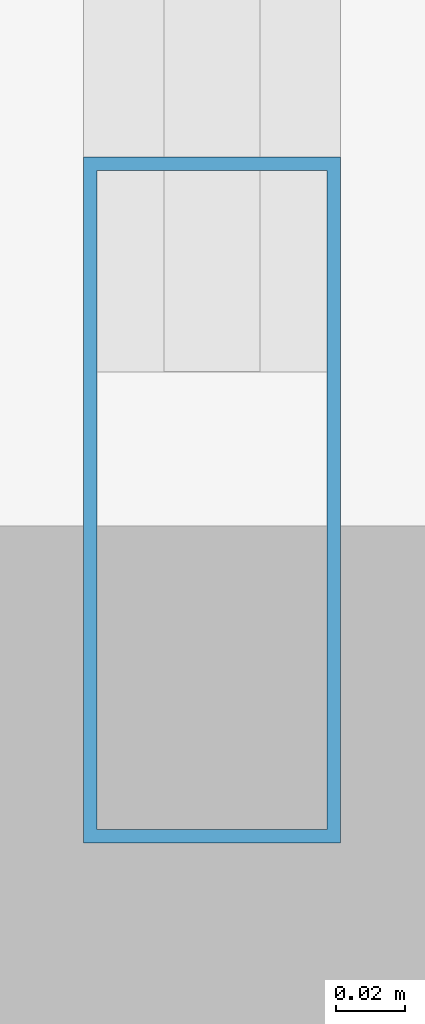
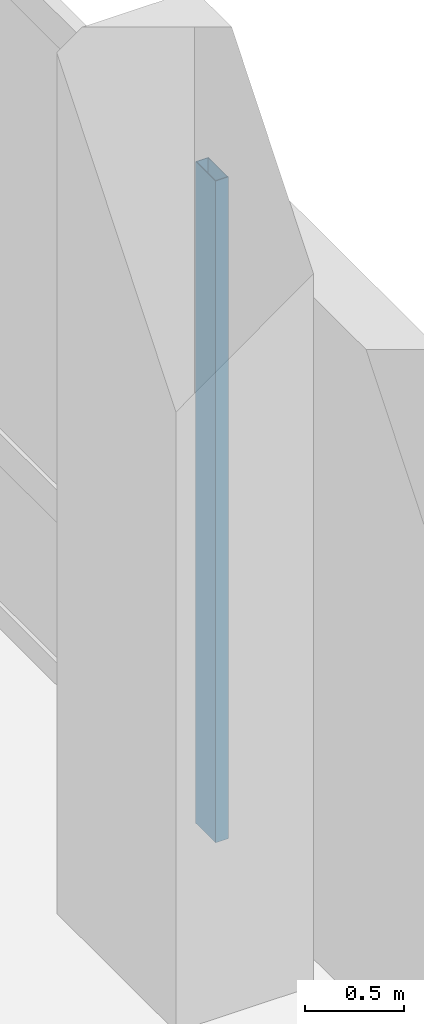
# One storey, part 19 of 40: 1 member, 1 element without a shape of its own.
"""IFC4 building model written with IfcOpenShell, lengths in metres."""

from ifc_helpers import new_model, si_unit, direction, frame, origin, origin_2d, place, context, subcontext, project, spatial, hollow_rectangle, extrude, material, layer, layer_set, material_profile, profile_set, type_object, element, aggregate, save


model = new_model("IFC4")

# Units and contexts
model_context = context("Model", 3, precision=1e-05, world=origin(), true_north=direction((0.0, 1.0)))
body_context = subcontext(model_context, "Body", "Model", "MODEL_VIEW")
ifc_project = project(units=[si_unit("LENGTHUNIT", "METRE"), si_unit("AREAUNIT", "SQUARE_METRE"), si_unit("VOLUMEUNIT", "CUBIC_METRE"), si_unit("PLANEANGLEUNIT", "RADIAN"), si_unit("MASSUNIT", "GRAM", prefix="KILO")], contexts=[model_context])

# Site, building, storey
site_placement = place(None, origin())
site = spatial("IfcSite", under=ifc_project, at=site_placement, CompositionType="ELEMENT")
building_placement = place(site_placement, origin())
building = spatial("IfcBuilding", under=site, at=building_placement, Name="Varnelok Gate Tower", CompositionType="ELEMENT")
storey_placement = place(building_placement, frame((0.0, 0.0, 5.39990234375)))
storey = spatial("IfcBuildingStorey", under=building, at=storey_placement, Name="L01", CompositionType="ELEMENT", Elevation=5.39990234375)

# Curtain wall, member
ifc_material = material(Name="Anodized Aluminum Alloy 6063-T6", Category="aluminium")
ifc_layer = layer(ifc_material, 0.179931640625)
ifc_layer_set = layer_set([ifc_layer], Name="Anodized Aluminum Alloy 6063-T6")
curtain_wall_type = type_object("IfcCurtainWallType", Name="CW1-ARCH-PORTAL", PredefinedType="USERDEFINED", material=ifc_layer_set)
curtain_wall_placement = place(storey_placement, origin())
curtain_wall = element("IfcCurtainWall", 1, at=curtain_wall_placement, inside=storey, type_object=curtain_wall_type, Name="L01 Podium Portal Curtain Wall E", ObjectType="UNITISED CURTAIN WALL", PredefinedType="USERDEFINED")
ifc_material_profile = material_profile(ifc_material, hollow_rectangle(XDim=0.074951171875, YDim=0.199951171875, WallThickness=0.00390625, at=origin_2d()), Name="ALU200X75X4")
ifc_profile_set = profile_set([ifc_material_profile], Name="Anodized Aluminum Alloy 6063-T6")
member_type = type_object("IfcMemberType", Name="CW-MULL-200", PredefinedType="MULLION", material=ifc_profile_set)
member_placement = place(storey_placement, frame((78.239990234375, 15.237548828125, 0.0), z_axis=(0.0, 0.0, 1.0), x_axis=(1.0, 0.0, 0.0)))
member = element("IfcMember", 2, at=member_placement, type_object=member_type, Name="CW1 mullion 5", PredefinedType="MULLION", context=body_context, shape_type="SweptSolid", body=[
    extrude(hollow_rectangle(XDim=0.074951171875, YDim=0.199951171875, WallThickness=0.00390625, at=origin_2d()), origin(), (0.0, 0.0, 1.0), 4.070068359375),
])
aggregate(curtain_wall, [member])

save(model, "model.ifc")
